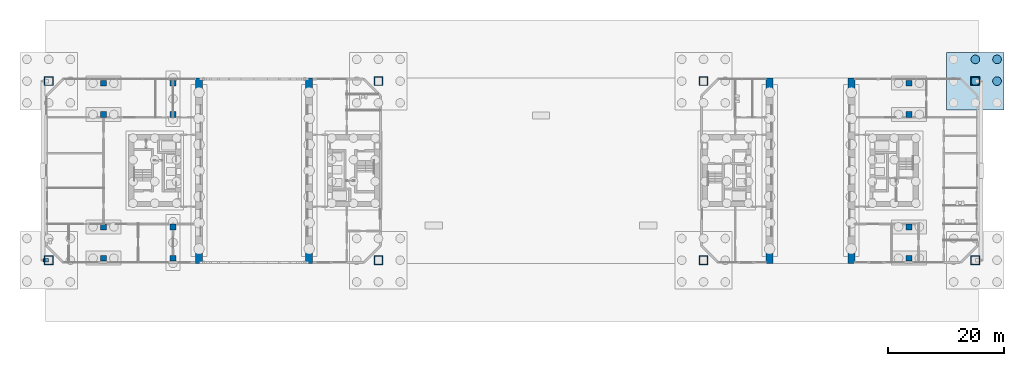
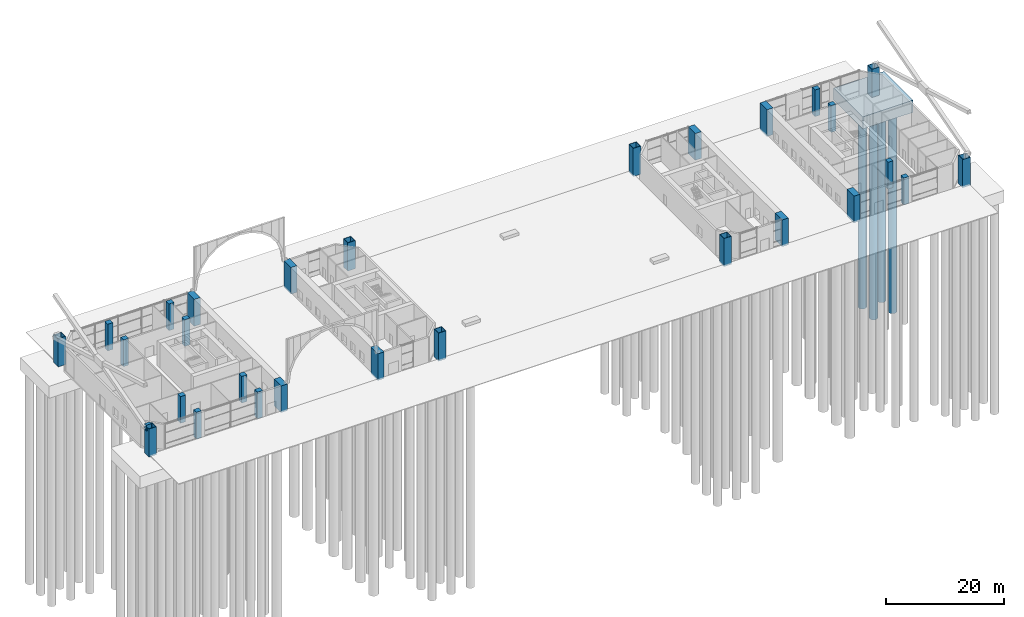
# One storey, part 2 of 26: 28 columns, 4 piles, 1 beam, 1 footing.
"""IFC4 building model written with IfcOpenShell, lengths in metres."""

from ifc_helpers import new_model, si_unit, direction, frame, origin, origin_2d, place, context, subcontext, project, spatial, polyline, rectangle, hollow_rectangle, circle, outline, extrude, material, material_profile, profile_set, type_object, element, save


model = new_model("IFC4")

# Units and contexts
model_context = context("Model", 3, precision=1e-05, world=origin(), true_north=direction((0.0, 1.0)))
body_context = subcontext(model_context, "Body", "Model", "MODEL_VIEW")
ifc_project = project(units=[si_unit("LENGTHUNIT", "METRE"), si_unit("AREAUNIT", "SQUARE_METRE"), si_unit("VOLUMEUNIT", "CUBIC_METRE"), si_unit("PLANEANGLEUNIT", "RADIAN"), si_unit("MASSUNIT", "GRAM", prefix="KILO")], contexts=[model_context])

# Site, building, storey
site_placement = place(None, origin())
site = spatial("IfcSite", under=ifc_project, at=site_placement, CompositionType="ELEMENT")
building_placement = place(site_placement, origin())
building = spatial("IfcBuilding", under=site, at=building_placement, Name="Tuart Gate Housing", CompositionType="ELEMENT")
storey_placement = place(building_placement, origin())
storey = spatial("IfcBuildingStorey", under=building, at=storey_placement, Name="L00", CompositionType="ELEMENT", Elevation=0.0)

# Piles
ifc_material_1 = material(Name="Concrete C40", Category="concrete")
ifc_material_profile_1 = material_profile(ifc_material_1, circle(Radius=0.75, at=origin_2d()), Name="Bored pile D1500")
ifc_profile_set_1 = profile_set([ifc_material_profile_1], Name="Concrete C40")
pile_type = type_object("IfcPileType", Name="Bored pile D1500", PredefinedType="BORED", material=ifc_profile_set_1)
for number, where, z_axis, x_axis, name in (
    (1, (178.449951171875, 85.449951171875, -2.75), (0.0, 0.0, -1.0), (1.0, 0.0, 0.0), "Mega column pile B north-east 04"),
    (2, (178.449951171875, 89.199951171875, -2.75), (0.0, 0.0, -1.0), (1.0, 0.0, 0.0), "Mega column pile B north-east 05"),
    (3, (182.199951171875, 85.449951171875, -2.75), (0.0, 0.0, -1.0), (1.0, 0.0, 0.0), "Mega column pile B north-east 07"),
    (4, (182.199951171875, 89.199951171875, -2.75), (0.0, 0.0, -1.0), (1.0, 0.0, 0.0), "Mega column pile B north-east 08"),
):
    element("IfcPile", number, at=place(storey_placement, frame(where, z_axis=z_axis, x_axis=x_axis)), inside=storey, type_object=pile_type, Name=name, PredefinedType="BORED", context=body_context, shape_type="SweptSolid", body=[
        extrude(circle(Radius=0.75, at=origin_2d()), origin(), (0.0, 0.0, 1.0), 44.0),
    ])

# Footing
ifc_material_2 = material(Name="Concrete C40", Category="concrete")
footing_type = type_object("IfcFootingType", Name="Pile cap 9900 x 9900 x 2500", PredefinedType="PILE_CAP", material=ifc_material_2)
footing_placement = place(storey_placement, frame((0.0, 0.0, -2.85009765625)))
element("IfcFooting", 5, at=footing_placement, inside=storey, type_object=footing_type, Name="Mega column pile cap B north-east", PredefinedType="PILE_CAP", context=body_context, shape_type="SweptSolid", body=[
    extrude(outline(polyline([(173.5, 80.5), (183.39990234375, 80.5), (183.39990234375, 90.39990234375), (173.5, 90.39990234375), (173.5, 80.5)])), origin(), (0.0, 0.0, 1.0), 2.5),
])

# Columns
ifc_material_3 = material(Name="Steel Grade 350", Category="steel")
ifc_material_profile_2 = material_profile(ifc_material_3, hollow_rectangle(XDim=1.5, YDim=1.5, WallThickness=0.080078125, at=origin_2d()), Name="BOX 1500x1500x80")
ifc_profile_set_2 = profile_set([ifc_material_profile_2], Name="Steel Grade 350")
column_type_1 = type_object("IfcColumnType", Name="Mega column BOX 1500x1500x80 (4.6-5.8 m)", PredefinedType="COLUMN", material=ifc_profile_set_2)
for number, where, z_axis, x_axis, name in (
    (6, (18.550048828125, 54.550048828125, -0.35009765625), (0.0, 0.0, 1.0), (1.0, 0.0, 0.0), "Mega column A south-west L00"),
    (7, (75.449951171875, 54.550048828125, -0.35009765625), (0.0, 0.0, 1.0), (1.0, 0.0, 0.0), "Mega column A south-east L00"),
    (8, (75.449951171875, 85.449951171875, -0.35009765625), (0.0, 0.0, 1.0), (1.0, 0.0, 0.0), "Mega column A north-east L00"),
    (9, (18.550048828125, 85.449951171875, -0.35009765625), (0.0, 0.0, 1.0), (1.0, 0.0, 0.0), "Mega column A north-west L00"),
    (10, (131.550048828125, 54.550048828125, -0.35009765625), (0.0, 0.0, 1.0), (1.0, 0.0, 0.0), "Mega column B south-west L00"),
    (11, (178.449951171875, 54.550048828125, -0.35009765625), (0.0, 0.0, 1.0), (1.0, 0.0, 0.0), "Mega column B south-east L00"),
    (12, (178.449951171875, 85.449951171875, -0.35009765625), (0.0, 0.0, 1.0), (1.0, 0.0, 0.0), "Mega column B north-east L00"),
    (13, (131.550048828125, 85.449951171875, -0.35009765625), (0.0, 0.0, 1.0), (1.0, 0.0, 0.0), "Mega column B north-west L00"),
):
    element("IfcColumn", number, at=place(storey_placement, frame(where, z_axis=z_axis, x_axis=x_axis)), inside=storey, type_object=column_type_1, Name=name, PredefinedType="COLUMN", context=body_context, shape_type="SweptSolid", body=[
        extrude(hollow_rectangle(XDim=1.5, YDim=1.5, WallThickness=0.080078125, at=origin_2d()), origin(), (0.0, 0.0, 1.0), 5.85009765625),
    ])
ifc_material_4 = material(Name="Concrete C50", Category="concrete")
ifc_material_profile_3 = material_profile(ifc_material_4, rectangle(XDim=1.0, YDim=1.0, at=origin_2d()), Name="RC column 1000 x 1000")
ifc_profile_set_3 = profile_set([ifc_material_profile_3], Name="Concrete C50")
column_type_2 = type_object("IfcColumnType", Name="RC column 1000 x 1000", PredefinedType="COLUMN", material=ifc_profile_set_3)
for number, where, z_axis, x_axis, name in (
    (14, (28.0, 54.89990234375, -0.35009765625), (0.0, 0.0, 1.0), (1.0, 0.0, 0.0), "RC column 2 L00"),
    (15, (28.0, 60.300048828125, -0.35009765625), (0.0, 0.0, 1.0), (1.0, 0.0, 0.0), "RC column 3 L00"),
    (16, (28.0, 79.699951171875, -0.35009765625), (0.0, 0.0, 1.0), (1.0, 0.0, 0.0), "RC column 6 L00"),
    (17, (28.0, 85.10009765625, -0.35009765625), (0.0, 0.0, 1.0), (1.0, 0.0, 0.0), "RC column 7 L00"),
    (18, (40.0, 54.89990234375, -0.35009765625), (0.0, 0.0, 1.0), (1.0, 0.0, 0.0), "RC column 10 L00"),
    (19, (40.0, 60.300048828125, -0.35009765625), (0.0, 0.0, 1.0), (1.0, 0.0, 0.0), "RC column 11 L00"),
    (20, (40.0, 79.699951171875, -0.35009765625), (0.0, 0.0, 1.0), (1.0, 0.0, 0.0), "RC column 14 L00"),
    (21, (40.0, 85.10009765625, -0.35009765625), (0.0, 0.0, 1.0), (1.0, 0.0, 0.0), "RC column 15 L00"),
    (22, (167.0, 54.89990234375, -0.35009765625), (0.0, 0.0, 1.0), (1.0, 0.0, 0.0), "RC column 34 L00"),
    (23, (167.0, 60.300048828125, -0.35009765625), (0.0, 0.0, 1.0), (1.0, 0.0, 0.0), "RC column 35 L00"),
    (24, (167.0, 79.699951171875, -0.35009765625), (0.0, 0.0, 1.0), (1.0, 0.0, 0.0), "RC column 38 L00"),
    (25, (167.0, 85.10009765625, -0.35009765625), (0.0, 0.0, 1.0), (1.0, 0.0, 0.0), "RC column 39 L00"),
):
    element("IfcColumn", number, at=place(storey_placement, frame(where, z_axis=z_axis, x_axis=x_axis)), inside=storey, type_object=column_type_2, Name=name, PredefinedType="COLUMN", context=body_context, shape_type="SweptSolid", body=[
        extrude(rectangle(XDim=1.0, YDim=1.0, at=origin_2d()), origin(), (0.0, 0.0, 1.0), 5.550048828125),
    ])
ifc_material_5 = material(Name="Concrete C50", Category="concrete")
ifc_material_profile_4 = material_profile(ifc_material_5, rectangle(XDim=1.199951171875, YDim=2.39990234375, at=origin_2d()), Name="RC jamb 1200 x 2400")
ifc_profile_set_4 = profile_set([ifc_material_profile_4], Name="Concrete C50")
column_type_3 = type_object("IfcColumnType", Name="RC jamb 1200 x 2400", PredefinedType="COLUMN", material=ifc_profile_set_4)
for number, where, z_axis, x_axis, name in (
    (26, (44.5, 55.199951171875, -0.35009765625), (0.0, 0.0, 1.0), (1.0, 0.0, 0.0), "Pier south jamb column AW L00"),
    (27, (44.5, 84.800048828125, -0.35009765625), (0.0, 0.0, 1.0), (1.0, 0.0, 0.0), "Pier north jamb column AW L00"),
    (28, (63.5, 55.199951171875, -0.35009765625), (0.0, 0.0, 1.0), (1.0, 0.0, 0.0), "Pier south jamb column AE L00"),
    (29, (63.5, 84.800048828125, -0.35009765625), (0.0, 0.0, 1.0), (1.0, 0.0, 0.0), "Pier north jamb column AE L00"),
    (30, (142.949951171875, 55.199951171875, -0.35009765625), (0.0, 0.0, 1.0), (1.0, 0.0, 0.0), "Pier south jamb column BW L00"),
    (31, (142.949951171875, 84.800048828125, -0.35009765625), (0.0, 0.0, 1.0), (1.0, 0.0, 0.0), "Pier north jamb column BW L00"),
    (32, (157.050048828125, 55.199951171875, -0.35009765625), (0.0, 0.0, 1.0), (1.0, 0.0, 0.0), "Pier south jamb column BE L00"),
    (33, (157.050048828125, 84.800048828125, -0.35009765625), (0.0, 0.0, 1.0), (1.0, 0.0, 0.0), "Pier north jamb column BE L00"),
):
    element("IfcColumn", number, at=place(storey_placement, frame(where, z_axis=z_axis, x_axis=x_axis)), inside=storey, type_object=column_type_3, Name=name, PredefinedType="COLUMN", context=body_context, shape_type="SweptSolid", body=[
        extrude(rectangle(XDim=1.199951171875, YDim=2.39990234375, at=origin_2d()), origin(), (0.0, 0.0, 1.0), 5.550048828125),
    ])

# Beam
ifc_material_6 = material(Name="Steel Grade 350", Category="steel")
ifc_material_profile_5 = material_profile(ifc_material_6, hollow_rectangle(XDim=0.60009765625, YDim=1.199951171875, WallThickness=0.0400390625, at=origin_2d()), Name="BOX 1200x600x40")
ifc_profile_set_5 = profile_set([ifc_material_profile_5], Name="Steel Grade 350")
beam_type = type_object("IfcBeamType", Name="Brace shoe BOX 1200x600x40", PredefinedType="BEAM", material=ifc_profile_set_5)
beam_placement = place(storey_placement, frame((18.550048828125, 54.550048828125, 5.5), z_axis=(-1.0, 0.0, 0.0), x_axis=(0.0, -1.0, 0.0)))
element("IfcBeam", 34, at=beam_placement, inside=storey, type_object=beam_type, Name="Mega brace shoe A zone 0 west cross 1", PredefinedType="BEAM", context=body_context, shape_type="SweptSolid", body=[
    extrude(hollow_rectangle(XDim=0.60009765625, YDim=1.199951171875, WallThickness=0.0400390625, at=origin_2d()), origin(), (0.0, 0.0, 1.0), 1.0),
])

save(model, "model.ifc")
